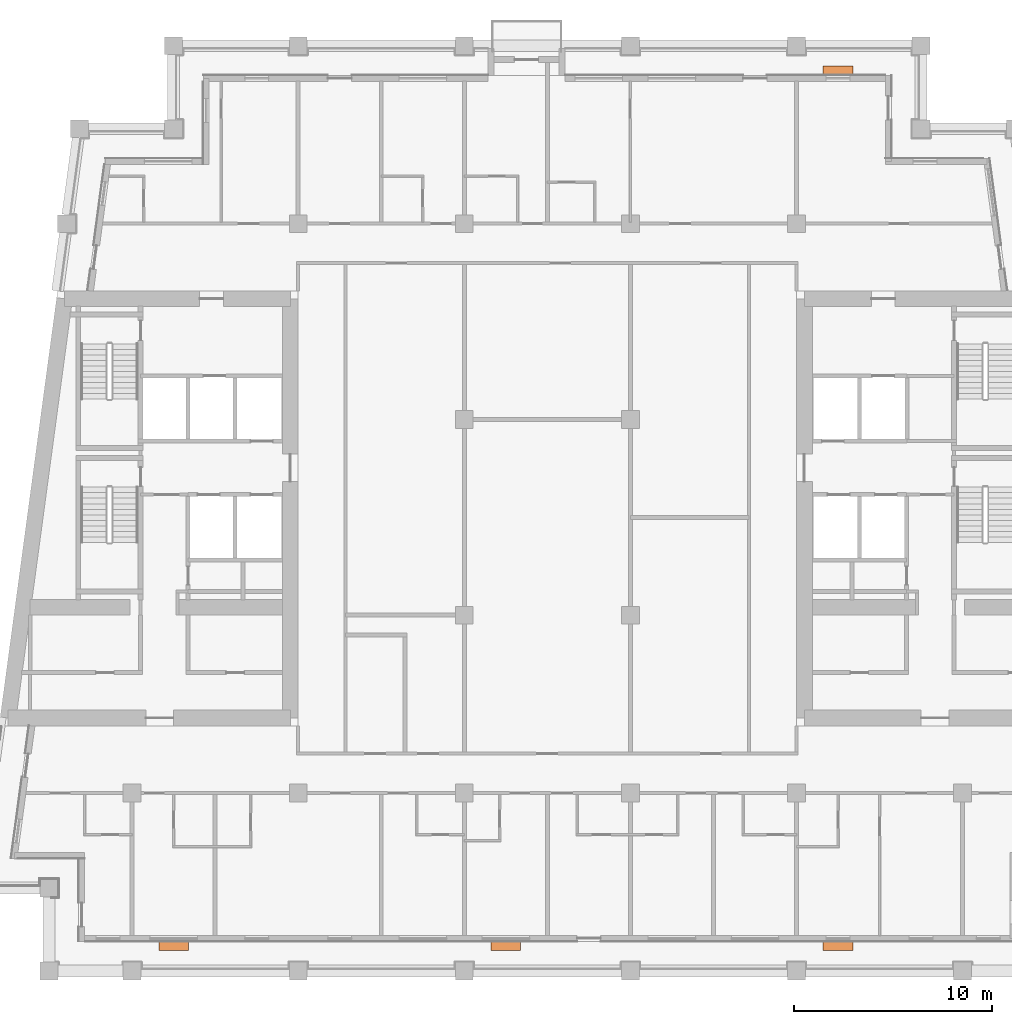
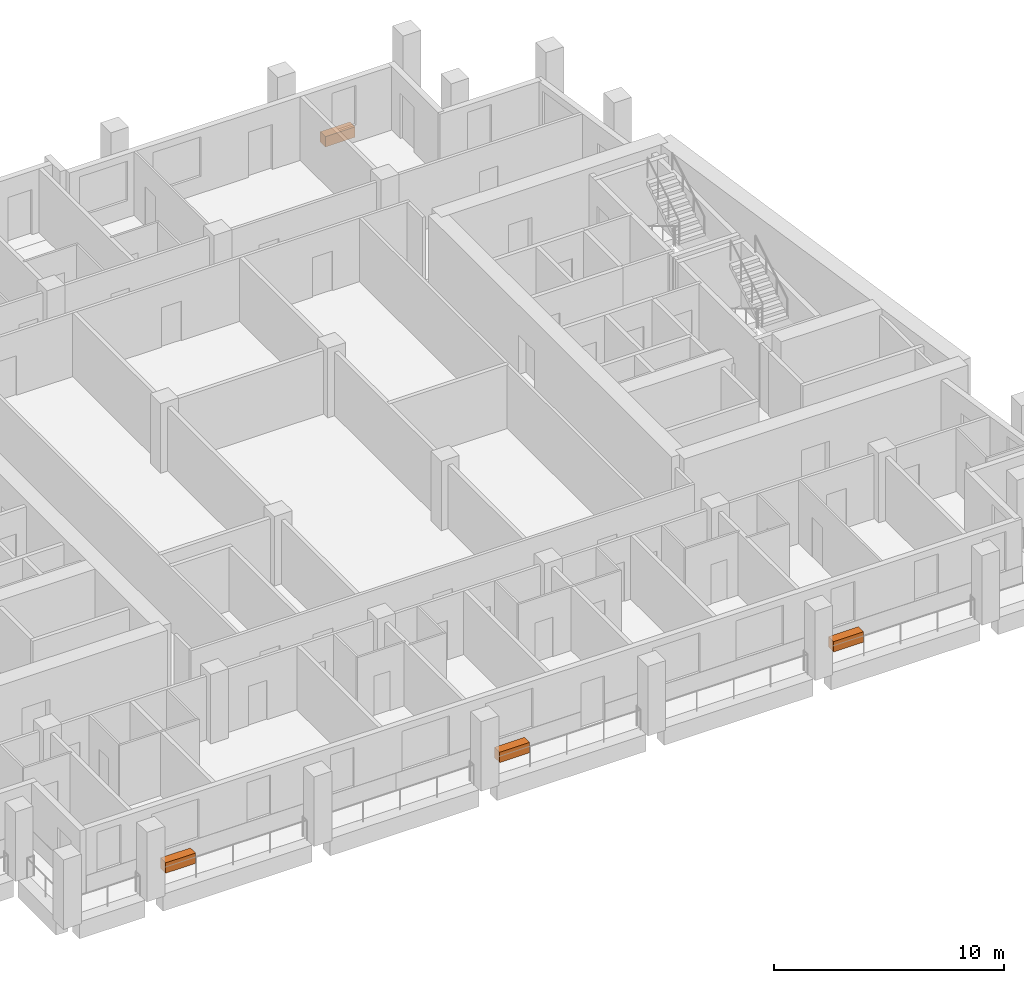
# One storey, part 12 of 12: 4 proxies.
"""IFC4 building model written with IfcOpenShell, lengths in metres."""

from ifc_helpers import new_model, si_unit, direction, frame, origin, origin_2d, place, context, subcontext, project, spatial, rectangle, extrude, element, save


model = new_model("IFC4")

# Units and contexts
model_context = context("Model", 3, precision=1e-05, world=origin(), true_north=direction((0.0, 1.0)))
body_context = subcontext(model_context, "Body", "Model", "MODEL_VIEW")
ifc_project = project(units=[si_unit("LENGTHUNIT", "METRE"), si_unit("AREAUNIT", "SQUARE_METRE"), si_unit("VOLUMEUNIT", "CUBIC_METRE"), si_unit("PLANEANGLEUNIT", "RADIAN"), si_unit("MASSUNIT", "GRAM", prefix="KILO")], contexts=[model_context])

# Site, building, storey
site_placement = place(None, origin())
site = spatial("IfcSite", under=ifc_project, at=site_placement, CompositionType="ELEMENT")
building_placement = place(site_placement, origin())
building = spatial("IfcBuilding", under=site, at=building_placement, Name="Candeia Pilgrim Tower and Theatre", CompositionType="ELEMENT")
storey_placement = place(building_placement, frame((0.0, 0.0, 209.60009765625)))
storey = spatial("IfcBuildingStorey", under=building, at=storey_placement, Name="L50", CompositionType="ELEMENT", Elevation=209.60009765625)

# Proxies
for number, where, z_axis, x_axis, name in (
    (1, (94.5, 99.2548828125, 0.0), (0.0, 0.0, 1.0), (1.0, 0.0, 0.0), "Planter"),
    (2, (111.300048828125, 99.2548828125, 0.0), (0.0, 0.0, 1.0), (1.0, 0.0, 0.0), "Planter"),
    (3, (128.10009765625, 99.2548828125, 0.0), (0.0, 0.0, 1.0), (1.0, 0.0, 0.0), "Planter"),
    (4, (128.10009765625, 143.544921875, 0.0), (0.0, 0.0, 1.0), (-1.0, 0.0, 0.0), "Planter"),
):
    element("IfcBuildingElementProxy", number, at=place(storey_placement, frame(where, z_axis=z_axis, x_axis=x_axis)), inside=storey, Name=name, ObjectType="PLANTER", PredefinedType="USERDEFINED", context=body_context, shape_type="SweptSolid", body=[
        extrude(rectangle(XDim=1.5, YDim=0.449951171875, at=origin_2d()), origin(), (0.0, 0.0, 1.0), 0.550048828125),
    ])

save(model, "model.ifc")
